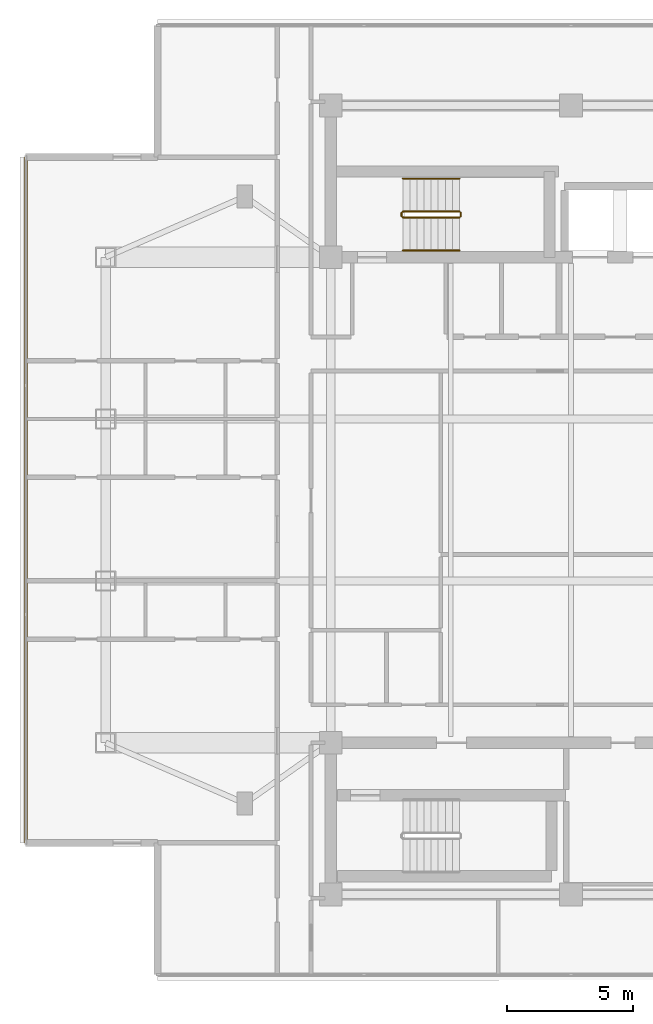
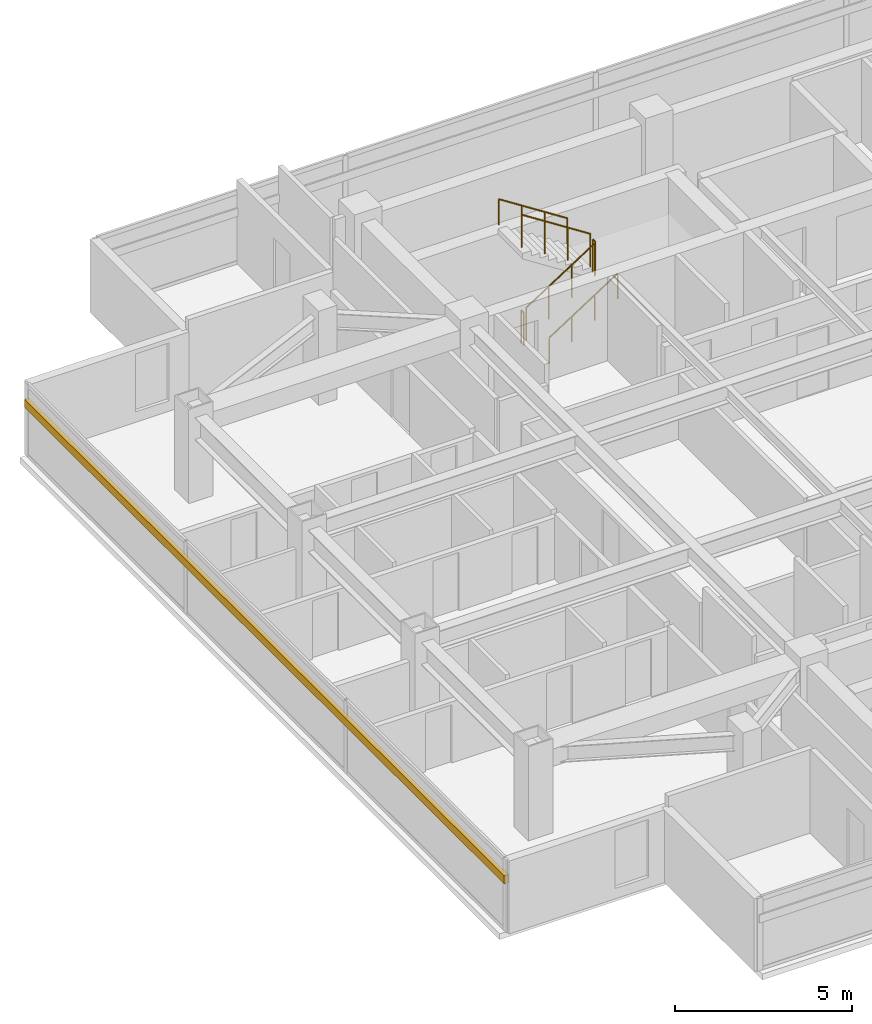
# One storey, part 16 of 17: 6 railings, 1 shading device.
"""IFC4 building model written with IfcOpenShell, lengths in metres."""

import ifcopenshell
import ifcopenshell.guid

model = None  # the IFC model being written
_history = None  # IfcOwnerHistory: only IFC2X3 demands one
_inside = {}  # id of a spatial element -> (the spatial element, [elements in it])
_under = {}  # id of a project, library or spatial element -> (it, [spatial elements below it])
_declared = {}  # id of a project -> (the project, [libraries it declares])
_typed = {}  # id of a type object -> (the type object, [elements of that type])
_made_of = {}  # id of a material, layer set ... -> (it, [elements and type objects made of it])


def new_model(schema):
    """Start an empty IFC model of exactly this schema.

    Asked for "IFC4X3", IfcOpenShell would pick the latest addendum, in which some entities
    have other attributes; the version numbers below select the first issue.
    IFC2X3 requires an IfcOwnerHistory on every rooted entity: one is made here for all.
    """
    global model, _history
    if schema == "IFC4X3":
        model = ifcopenshell.file(schema_version=(4, 3, 0, 0))
    else:
        model = ifcopenshell.file(schema=schema)
    _inside.clear()
    _under.clear()
    _declared.clear()
    _typed.clear()
    _made_of.clear()
    _history = None
    if model.schema == "IFC2X3":
        org = make("IfcOrganization", Name="unknown")
        user = make(
            "IfcPersonAndOrganization",
            ThePerson=make("IfcPerson", FamilyName="unknown"),
            TheOrganization=org,
        )
        app = make(
            "IfcApplication",
            ApplicationDeveloper=org,
            Version="unknown",
            ApplicationFullName="unknown",
            ApplicationIdentifier="unknown",
        )
        _history = make(
            "IfcOwnerHistory",
            OwningUser=user,
            OwningApplication=app,
            ChangeAction="ADDED",
            CreationDate=0,
        )
    return model


def make(cls, **values):
    """One entity of the class cls with the attributes given. An attribute that is None is left unset."""
    return model.create_entity(
        cls, **{name: value for name, value in values.items() if value is not None}
    )


def rooted(cls, **values):
    """An entity with a GlobalId (a new one), such as an element, a storey or a relation."""
    return make(cls, GlobalId=ifcopenshell.guid.new(), OwnerHistory=_history, **values)


def si_unit(unit_type, name, prefix=None):
    """IfcSIUnit, for example si_unit("LENGTHUNIT", "METRE", prefix="MILLI")."""
    return make("IfcSIUnit", UnitType=unit_type, Prefix=prefix, Name=name)


def assignment(units):
    """IfcUnitAssignment: the units of a project."""
    return None if units is None else make("IfcUnitAssignment", Units=units)


def point(xyz):
    """IfcCartesianPoint."""
    return None if xyz is None else make("IfcCartesianPoint", Coordinates=xyz)


def direction(xyz):
    """IfcDirection."""
    return None if xyz is None else make("IfcDirection", DirectionRatios=xyz)


def frame(location, z_axis=None, x_axis=None):
    """IfcAxis2Placement3D, a coordinate frame: its origin and axes. An axis left out is left unset."""
    return make(
        "IfcAxis2Placement3D",
        Location=point(location),
        Axis=direction(z_axis),
        RefDirection=direction(x_axis),
    )


def frame_2d(location, x_axis=None):
    """IfcAxis2Placement2D, a coordinate frame in the plane: its origin and x axis."""
    return make(
        "IfcAxis2Placement2D", Location=point(location), RefDirection=direction(x_axis)
    )


def origin():
    """The frame at (0, 0, 0) with its axes left unset."""
    return frame((0.0, 0.0, 0.0))


def origin_2d():
    """The frame at (0, 0) in the plane with its x axis left unset."""
    return frame_2d((0.0, 0.0))


def place(relative_to, where):
    """IfcLocalPlacement: puts the frame where relative to a parent placement (None: the world)."""
    return make(
        "IfcLocalPlacement", PlacementRelTo=relative_to, RelativePlacement=where
    )


def context(
    kind, dimensions, precision=None, world=None, true_north=None, identifier=None
):
    """IfcGeometricRepresentationContext, for example the 3D "Model" context."""
    return make(
        "IfcGeometricRepresentationContext",
        ContextIdentifier=identifier,
        ContextType=kind,
        CoordinateSpaceDimension=dimensions,
        Precision=precision,
        WorldCoordinateSystem=world,
        TrueNorth=true_north,
    )


def subcontext(parent, identifier, kind, view, scale=None):
    """IfcGeometricRepresentationSubContext, for example "Body" below "Model"."""
    return make(
        "IfcGeometricRepresentationSubContext",
        ContextIdentifier=identifier,
        ContextType=kind,
        ParentContext=parent,
        TargetScale=scale,
        TargetView=view,
    )


def project(units=None, contexts=None):
    """IfcProject with its units and contexts."""
    return rooted(
        "IfcProject",
        Name="project",
        RepresentationContexts=contexts,
        UnitsInContext=assignment(units),
    )


def spatial(cls, under=None, at=None, **own):
    """A site, building, storey or space (cls), placed at a placement, below another one or the project."""
    s = rooted(cls, ObjectPlacement=at, **own)
    if under is not None:
        _under.setdefault(under.id(), (under, []))[1].append(s)
    return s


def profile(cls, at=None, kind="AREA", **sizes):
    """A parametric profile (cls). Its sizes go by their IFC names, for example OverallWidth=200.0."""
    return make(cls, ProfileType=kind, Position=at, **sizes)


def rectangle(**sizes):
    """IfcRectangleProfileDef."""
    return profile("IfcRectangleProfileDef", **sizes)


def circle(**sizes):
    """IfcCircleProfileDef."""
    return profile("IfcCircleProfileDef", **sizes)


def extrude(swept, where, along, depth):
    """IfcExtrudedAreaSolid: the profile swept, set in the frame where, extruded along a direction by depth."""
    return make(
        "IfcExtrudedAreaSolid",
        SweptArea=swept,
        Position=where,
        ExtrudedDirection=direction(along),
        Depth=depth,
    )


def shape(context_of_items, identifier, shape_type, items):
    """IfcShapeRepresentation: the items that make up one representation, for example the "Body"."""
    return make(
        "IfcShapeRepresentation",
        ContextOfItems=context_of_items,
        RepresentationIdentifier=identifier,
        RepresentationType=shape_type,
        Items=items,
    )


def material(Name=None, Category=None):
    """IfcMaterial."""
    return make("IfcMaterial", Name=Name, Category=Category)


def material_profile(
    of_material, cross_section, Name=None, Category=None, Priority=None
):
    """IfcMaterialProfile: a cross section and its material."""
    return make(
        "IfcMaterialProfile",
        Name=Name,
        Material=of_material,
        Profile=cross_section,
        Priority=Priority,
        Category=Category,
    )


def profile_set(profiles, Name=None, composite=None):
    """IfcMaterialProfileSet."""
    return make(
        "IfcMaterialProfileSet",
        Name=Name,
        MaterialProfiles=profiles,
        CompositeProfile=composite,
    )


def made_of(thing, what):
    """Note that an element or type object is made of a material, layer set ...; save() writes the relation."""
    if what is not None:
        _made_of.setdefault(what.id(), (what, []))[1].append(thing)
    return thing


def type_object(cls, material=None, **own):
    """A type object (cls), such as IfcWallType, which elements share."""
    return made_of(rooted(cls, **own), material)


def element(
    cls,
    number,
    at=None,
    inside=None,
    cuts=None,
    type_object=None,
    material=None,
    context=None,
    identifier="Body",
    shape_type=None,
    held_by="IfcProductDefinitionShape",
    body=None,
    shapes=None,
    **own,
):
    """One element of the class cls, such as IfcWall. Its Tag is "e" and its number.

    at: its placement. inside: the storey or other place that contains it. cuts: it is an
    opening in that element (IfcRelVoidsElement). A single representation is given by context,
    identifier, shape_type and body (its items); several are given by shapes. held_by: the class
    of the entity that holds the representations. save() writes the other relations.
    """
    e = rooted(cls, Tag="e%d" % number, ObjectPlacement=at, **own)
    if body is not None:
        shapes = [shape(context, identifier, shape_type, body)]
    if shapes is not None:
        e.Representation = make(held_by, Representations=shapes)
    if inside is not None:
        _inside.setdefault(inside.id(), (inside, []))[1].append(e)
    if cuts is not None:
        rooted(
            "IfcRelVoidsElement", RelatingBuildingElement=cuts, RelatedOpeningElement=e
        )
    if type_object is not None:
        _typed.setdefault(type_object.id(), (type_object, []))[1].append(e)
    return made_of(e, material)


def aggregate(whole, parts):
    """IfcRelAggregates: a whole, such as a stair, and the parts it consists of."""
    return rooted("IfcRelAggregates", RelatingObject=whole, RelatedObjects=parts)


def save(model, path):
    """Write the relations noted so far, then the file.

    IfcRelAggregates (storeys below a building ...), IfcRelContainedInSpatialStructure (elements
    in a storey), IfcRelDefinesByType, IfcRelAssociatesMaterial and IfcRelDeclares: one each for
    every whole, place, type object, material and project.
    """
    for whole, parts in _under.values():
        aggregate(whole, parts)
    for where, things in _inside.values():
        rooted(
            "IfcRelContainedInSpatialStructure",
            RelatedElements=things,
            RelatingStructure=where,
        )
    for kind, things in _typed.values():
        rooted("IfcRelDefinesByType", RelatedObjects=things, RelatingType=kind)
    for what, things in _made_of.values():
        rooted("IfcRelAssociatesMaterial", RelatedObjects=things, RelatingMaterial=what)
    for by, libraries in _declared.values():
        rooted("IfcRelDeclares", RelatingContext=by, RelatedDefinitions=libraries)
    model.write(path)


model = new_model("IFC4")

# Units and contexts
model_context = context("Model", 3, precision=1e-05, world=origin(), true_north=direction((0.0, 1.0)))
body_context = subcontext(model_context, "Body", "Model", "MODEL_VIEW")
ifc_project = project(units=[si_unit("LENGTHUNIT", "METRE"), si_unit("AREAUNIT", "SQUARE_METRE"), si_unit("VOLUMEUNIT", "CUBIC_METRE"), si_unit("PLANEANGLEUNIT", "RADIAN"), si_unit("MASSUNIT", "GRAM", prefix="KILO")], contexts=[model_context])

# Site, building, storey
site_placement = place(None, origin())
site = spatial("IfcSite", under=ifc_project, at=site_placement, CompositionType="ELEMENT")
building_placement = place(site_placement, origin())
building = spatial("IfcBuilding", under=site, at=building_placement, Name="Mirazonda Arch Towers", CompositionType="ELEMENT")
storey_placement = place(building_placement, frame((0.0, 0.0, 209.64990234375)))
storey = spatial("IfcBuildingStorey", under=building, at=storey_placement, Name="L60", CompositionType="ELEMENT", Elevation=209.64990234375)

# Shading device
ifc_material_1 = material(Name="Kiln-Fired Architectural Terracotta", Category="masonry")
ifc_material_profile = material_profile(ifc_material_1, rectangle(XDim=0.139892578125, YDim=0.280029296875, at=origin_2d()), Name="TERRA-BAG-140x280")
ifc_profile_set = profile_set([ifc_material_profile], Name="Kiln-Fired Architectural Terracotta")
shading_device_type = type_object("IfcShadingDeviceType", Name="BAGUETTE-3", PredefinedType="USERDEFINED", material=ifc_profile_set)
shading_device_placement = place(storey_placement, frame((-1.070068359375, 41.55908203125, 1.807373046875), z_axis=(0.0, -1.0, 0.0), x_axis=(1.0, 0.0, 0.0)))
element("IfcShadingDevice", 1, at=shading_device_placement, inside=storey, type_object=shading_device_type, Name="L60 Glazed Terracotta Sun-Screen Baguette CW-L60-T1-W", ObjectType="BAGUETTE", PredefinedType="USERDEFINED", context=body_context, shape_type="SweptSolid", body=[
    extrude(rectangle(XDim=0.139892578125, YDim=0.280029296875, at=origin_2d()), origin(), (0.0, 0.0, 1.0), 27.1181640625),
])

# Railings
ifc_material_2 = material(Name="Architectural Brushed Steel S355", Category="steel")
railing_type_1 = type_object("IfcRailingType", Name="GUARD-STAIR-1120", PredefinedType="GUARDRAIL", material=ifc_material_2)
railing_1_placement = place(storey_placement, frame((13.85009765625, 39.169921875, 0.1806640625)))
element("IfcRailing", 2, at=railing_1_placement, inside=storey, type_object=railing_type_1, Name="L60 ST-T1N stair guard 1", PredefinedType="GUARDRAIL", context=body_context, shape_type="SweptSolid", body=[
    extrude(circle(Radius=0.02392578125, at=origin_2d()), frame((0.0, 0.0, 1.1259765625), z_axis=(0.840436612492, 0.0, 0.541909863706), x_axis=(0.0, 1.0, 0.0)), (0.0, 0.0, 1.0), 2.665283203125),
    extrude(circle(Radius=0.02099609375, at=origin_2d()), origin(), (0.0, 0.0, 1.0), 1.101806640625),
    extrude(circle(Radius=0.02099609375, at=origin_2d()), frame((0.74658203125, 0.0, 0.4814453125)), (0.0, 0.0, 1.0), 1.101806640625),
    extrude(circle(Radius=0.02099609375, at=origin_2d()), frame((1.493408203125, 0.0, 0.962890625)), (0.0, 0.0, 1.0), 1.101806640625),
    extrude(circle(Radius=0.02099609375, at=origin_2d()), frame((2.239990234375, 0.0, 1.4443359375)), (0.0, 0.0, 1.0), 1.101806640625),
])
railing_2_placement = place(storey_placement, frame((16.139892578125, 39.219970703125, 1.625)))
element("IfcRailing", 3, at=railing_2_placement, inside=storey, type_object=railing_type_1, Name="L60 ST-T1N stair guard 2", PredefinedType="GUARDRAIL", context=body_context, shape_type="SweptSolid", body=[
    extrude(circle(Radius=0.02392578125, at=origin_2d()), frame((0.0, 0.0, 1.1259765625), z_axis=(0.0, 1.0, 0.0), x_axis=(-1.0, 0.0, 0.0)), (0.0, 0.0, 1.0), 0.14013671875),
    extrude(circle(Radius=0.02099609375, at=origin_2d()), origin(), (0.0, 0.0, 1.0), 1.101806640625),
    extrude(circle(Radius=0.02099609375, at=origin_2d()), frame((0.0, 0.14013671875, 0.0)), (0.0, 0.0, 1.0), 1.101806640625),
])
railing_3_placement = place(storey_placement, frame((16.090087890625, 39.409912109375, 1.8056640625)))
element("IfcRailing", 4, at=railing_3_placement, inside=storey, type_object=railing_type_1, Name="L60 ST-T1N stair guard 3", PredefinedType="GUARDRAIL", context=body_context, shape_type="SweptSolid", body=[
    extrude(circle(Radius=0.02392578125, at=origin_2d()), frame((0.0, 0.0, 1.1259765625), z_axis=(-0.840436612492, 0.0, 0.541909863706), x_axis=(0.0, -1.0, 0.0)), (0.0, 0.0, 1.0), 2.665283203125),
    extrude(circle(Radius=0.02099609375, at=origin_2d()), origin(), (0.0, 0.0, 1.0), 1.101806640625),
    extrude(circle(Radius=0.02099609375, at=origin_2d()), frame((-0.74658203125, 0.0, 0.4814453125)), (0.0, 0.0, 1.0), 1.101806640625),
    extrude(circle(Radius=0.02099609375, at=origin_2d()), frame((-1.493408203125, 0.0, 0.962890625)), (0.0, 0.0, 1.0), 1.101806640625),
    extrude(circle(Radius=0.02099609375, at=origin_2d()), frame((-2.239990234375, 0.0, 1.4443359375)), (0.0, 0.0, 1.0), 1.101806640625),
])
railing_4_placement = place(storey_placement, frame((13.800048828125, 39.219970703125, 0.0)))
element("IfcRailing", 5, at=railing_4_placement, inside=storey, type_object=railing_type_1, Name="L60 ST-T1N stair guard 4", PredefinedType="GUARDRAIL", context=body_context, shape_type="SweptSolid", body=[
    extrude(circle(Radius=0.02392578125, at=origin_2d()), frame((0.0, 0.0, 1.1259765625), z_axis=(0.0, 1.0, 0.0), x_axis=(-1.0, 0.0, 0.0)), (0.0, 0.0, 1.0), 0.14013671875),
    extrude(circle(Radius=0.02099609375, at=origin_2d()), origin(), (0.0, 0.0, 1.0), 1.101806640625),
    extrude(circle(Radius=0.02099609375, at=origin_2d()), frame((0.0, 0.14013671875, 0.0)), (0.0, 0.0, 1.0), 1.101806640625),
])
railing_type_2 = type_object("IfcRailingType", Name="HANDRAIL-915", PredefinedType="HANDRAIL", material=ifc_material_2)
railing_5_placement = place(storey_placement, frame((13.85009765625, 37.8701171875, 0.1806640625)))
element("IfcRailing", 6, at=railing_5_placement, inside=storey, type_object=railing_type_2, Name="L60 ST-T1N stair handrail 1", PredefinedType="HANDRAIL", context=body_context, shape_type="SweptSolid", body=[
    extrude(circle(Radius=0.02392578125, at=origin_2d()), frame((0.0, 0.0, 0.8759765625), z_axis=(0.840436612492, 0.0, 0.541909863706), x_axis=(0.0, 1.0, 0.0)), (0.0, 0.0, 1.0), 2.665283203125),
    extrude(circle(Radius=0.02099609375, at=origin_2d()), origin(), (0.0, 0.0, 1.0), 0.851806640625),
    extrude(circle(Radius=0.02099609375, at=origin_2d()), frame((0.74658203125, 0.0, 0.4814453125)), (0.0, 0.0, 1.0), 0.851806640625),
    extrude(circle(Radius=0.02099609375, at=origin_2d()), frame((1.493408203125, 0.0, 0.962890625)), (0.0, 0.0, 1.0), 0.851806640625),
    extrude(circle(Radius=0.02099609375, at=origin_2d()), frame((2.239990234375, 0.0, 1.4443359375)), (0.0, 0.0, 1.0), 0.851806640625),
])
railing_6_placement = place(storey_placement, frame((16.090087890625, 40.7099609375, 1.8056640625)))
element("IfcRailing", 7, at=railing_6_placement, inside=storey, type_object=railing_type_2, Name="L60 ST-T1N stair handrail 2", PredefinedType="HANDRAIL", context=body_context, shape_type="SweptSolid", body=[
    extrude(circle(Radius=0.02392578125, at=origin_2d()), frame((0.0, 0.0, 0.8759765625), z_axis=(-0.840436612492, 0.0, 0.541909863706), x_axis=(0.0, -1.0, 0.0)), (0.0, 0.0, 1.0), 2.665283203125),
    extrude(circle(Radius=0.02099609375, at=origin_2d()), origin(), (0.0, 0.0, 1.0), 0.851806640625),
    extrude(circle(Radius=0.02099609375, at=origin_2d()), frame((-0.74658203125, 0.0, 0.4814453125)), (0.0, 0.0, 1.0), 0.851806640625),
    extrude(circle(Radius=0.02099609375, at=origin_2d()), frame((-1.493408203125, 0.0, 0.962890625)), (0.0, 0.0, 1.0), 0.851806640625),
    extrude(circle(Radius=0.02099609375, at=origin_2d()), frame((-2.239990234375, 0.0, 1.4443359375)), (0.0, 0.0, 1.0), 0.851806640625),
])

save(model, "model.ifc")
